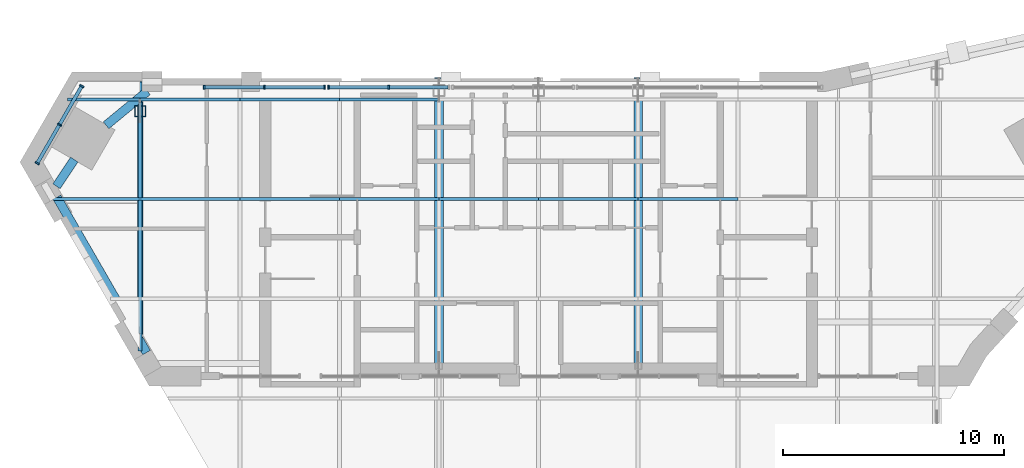
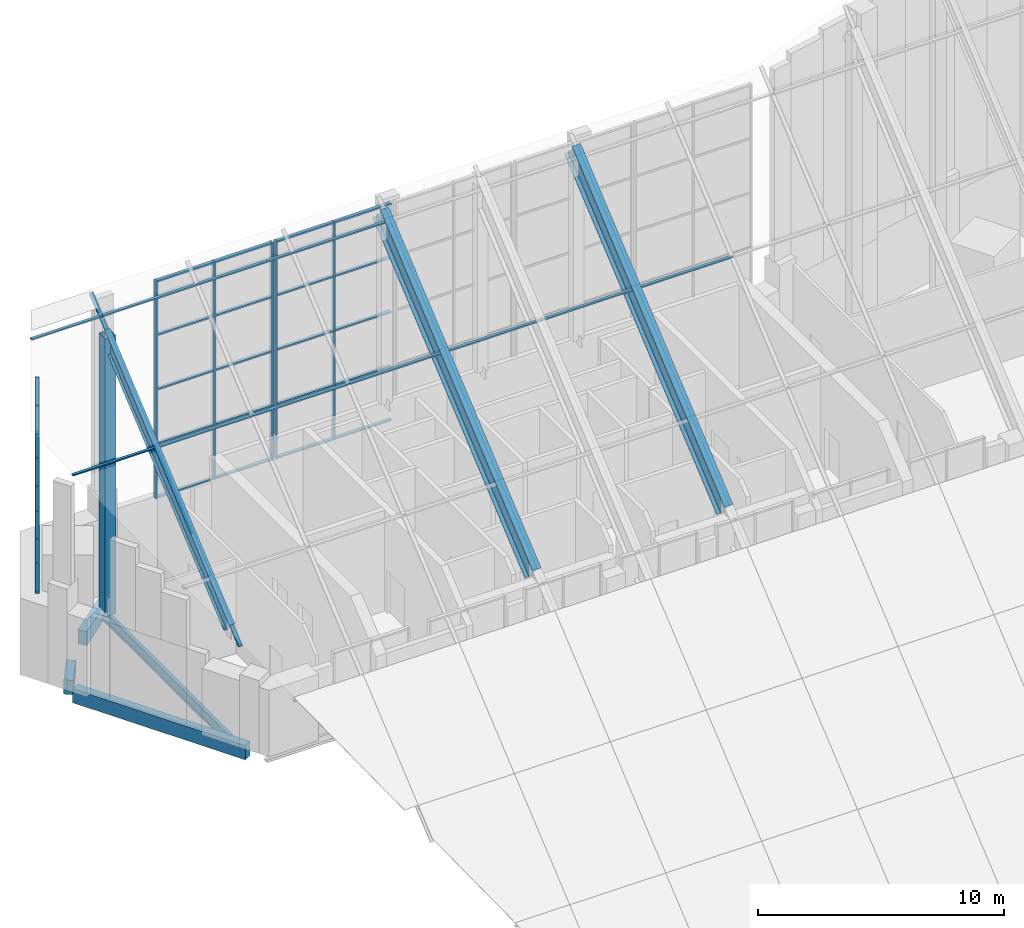
# One storey, part 6 of 19: 49 members, 7 beams, 10 elements without a shape of their own.
"""IFC4 building model written with IfcOpenShell, lengths in metres."""

from ifc_helpers import new_model, si_unit, direction, frame, origin, origin_2d, place, context, subcontext, project, spatial, rectangle, hollow_rectangle, i_section, extrude, material, material_profile, profile_set, type_object, element, aggregate, save


model = new_model("IFC4")

# Units and contexts
model_context = context("Model", 3, precision=1e-05, world=origin(), true_north=direction((0.0, 1.0)))
body_context = subcontext(model_context, "Body", "Model", "MODEL_VIEW")
ifc_project = project(units=[si_unit("LENGTHUNIT", "METRE"), si_unit("AREAUNIT", "SQUARE_METRE"), si_unit("VOLUMEUNIT", "CUBIC_METRE"), si_unit("PLANEANGLEUNIT", "RADIAN"), si_unit("MASSUNIT", "GRAM", prefix="KILO")], contexts=[model_context])

# Site, building, storey
site_placement = place(None, origin())
site = spatial("IfcSite", under=ifc_project, at=site_placement, CompositionType="ELEMENT")
building_placement = place(site_placement, origin())
building = spatial("IfcBuilding", under=site, at=building_placement, Name="Calabash Gate Tower", CompositionType="ELEMENT")
storey_placement = place(building_placement, frame((0.0, 0.0, 335.5)))
storey = spatial("IfcBuildingStorey", under=building, at=storey_placement, Name="L78", CompositionType="ELEMENT", Elevation=335.5)

# Beams
ifc_material_1 = material(Name="Concrete C50/60", Category="concrete")
ifc_material_profile_1 = material_profile(ifc_material_1, rectangle(XDim=0.39990234375, YDim=0.699951171875, at=origin_2d()))
ifc_profile_set_1 = profile_set([ifc_material_profile_1], Name="Concrete C50/60")
beam_type_1 = type_object("IfcBeamType", Name="Edge beam RC 400x700 Concrete C50/60", PredefinedType="BEAM", material=ifc_profile_set_1)
beam_1_placement = place(storey_placement, frame((-17.673095703125, 18.623046875, -0.550048828125), z_axis=(-0.77193605732, -0.635700183585, 0.0), x_axis=(0.635700183585, -0.77193605732, 0.0)))
element("IfcBeam", 1, at=beam_1_placement, inside=storey, type_object=beam_type_1, Name="Edge beam L78 7", PredefinedType="BEAM", context=body_context, shape_type="SweptSolid", body=[
    extrude(rectangle(XDim=0.39990234375, YDim=0.699951171875, at=origin_2d()), origin(), (0.0, 0.0, 1.0), 2.421142578125),
])
beam_2_placement = place(storey_placement, frame((-20.97412109375, 15.535888671875, -0.550048828125), z_axis=(-0.556208441461, -0.831042820586, 0.0), x_axis=(0.831042820586, -0.556208441461, 0.0)))
element("IfcBeam", 2, at=beam_2_placement, inside=storey, type_object=beam_type_1, Name="Edge beam L78 8", PredefinedType="BEAM", context=body_context, shape_type="SweptSolid", body=[
    extrude(rectangle(XDim=0.39990234375, YDim=0.699951171875, at=origin_2d()), origin(), (0.0, 0.0, 1.0), 1.4560546875),
])
beam_3_placement = place(storey_placement, frame((-21.763916015625, 13.830078125, -0.550048828125), z_axis=(0.500016430238, -0.866015917575, 0.0), x_axis=(0.866015917575, 0.500016430238, 0.0)))
element("IfcBeam", 3, at=beam_3_placement, inside=storey, type_object=beam_type_1, Name="Edge beam L78 9", PredefinedType="BEAM", context=body_context, shape_type="SweptSolid", body=[
    extrude(rectangle(XDim=0.39990234375, YDim=0.699951171875, at=origin_2d()), origin(), (0.0, 0.0, 1.0), 8.099365234375),
])
ifc_material_2 = material(Name="Steel ASTM A992 Gr50", Category="steel")
ifc_material_profile_2 = material_profile(ifc_material_2, i_section(OverallWidth=0.166015625, OverallDepth=0.5283203125, WebThickness=0.009765625, FlangeThickness=0.013671875, FilletRadius=0.0126953125, at=origin_2d()))
ifc_profile_set_2 = profile_set([ifc_material_profile_2], Name="Steel ASTM A992 Gr50")
beam_type_2 = type_object("IfcBeamType", Name="Floor beam W21x50 ASTM A992 Gr50", PredefinedType="BEAM", material=ifc_profile_set_2)
beam_4_placement = place(storey_placement, frame((-18.0, 7.679931640625, -0.464111328125), z_axis=(0.0, 1.0, 0.0), x_axis=(-1.0, 0.0, 0.0)))
element("IfcBeam", 4, at=beam_4_placement, inside=storey, type_object=beam_type_2, Name="Floor beam L78 1", PredefinedType="BEAM", context=body_context, shape_type="SweptSolid", body=[
    extrude(i_section(OverallWidth=0.166015625, OverallDepth=0.5283203125, WebThickness=0.009765625, FlangeThickness=0.013671875, FilletRadius=0.0126953125, at=origin_2d()), origin(), (0.0, 0.0, 1.0), 10.43701171875),
])

# Curtain wall, member
ifc_material_3 = material(Name="Anodised aluminium frame, bronze finish, clear laminated low-emissivity glazing", Category="aluminium")
curtain_wall_type_1 = type_object("IfcCurtainWallType", Name="Curtain wall CWC crown roof glazing", PredefinedType="NOTDEFINED", material=ifc_material_3)
curtain_wall_1_placement = place(storey_placement, origin())
curtain_wall_1 = element("IfcCurtainWall", 5, at=curtain_wall_1_placement, inside=storey, type_object=curtain_wall_type_1, Name="Curtain wall CWC roof glazing strip 2", PredefinedType="NOTDEFINED")
ifc_material_4 = material(Name="Anodised aluminium frame, bronze finish", Category="aluminium")
ifc_material_profile_3 = material_profile(ifc_material_4, rectangle(XDim=0.179931640625, YDim=0.06494140625, at=origin_2d()))
ifc_profile_set_3 = profile_set([ifc_material_profile_3], Name="Anodised aluminium frame, bronze finish")
member_type_1 = type_object("IfcMemberType", Name="Mullion CWC 65x180", PredefinedType="MULLION", material=ifc_profile_set_3)
member_1_placement = place(storey_placement, frame((-18.0, 6.91162109375, 4.653564453125), z_axis=(0.0, 0.766041299513, 0.642791356072), x_axis=(-1.0, 0.0, 0.0)))
member_1 = element("IfcMember", 6, at=member_1_placement, type_object=member_type_1, Name="CWC roof mullion 2.1", PredefinedType="MULLION", context=body_context, shape_type="SweptSolid", body=[
    extrude(rectangle(XDim=0.179931640625, YDim=0.06494140625, at=origin_2d()), origin(), (0.0, 0.0, 1.0), 15.848876953125),
])

# Curtain wall, members
ifc_material_5 = material(Name="Anodised aluminium frame, bronze finish, clear laminated impact-rated glazing", Category="aluminium")
curtain_wall_type_2 = type_object("IfcCurtainWallType", Name="Curtain wall CWV crown wall", PredefinedType="NOTDEFINED", material=ifc_material_5)
curtain_wall_2_placement = place(storey_placement, origin())
curtain_wall_2 = element("IfcCurtainWall", 7, at=curtain_wall_2_placement, inside=storey, type_object=curtain_wall_type_2, Name="Curtain wall CWV L78 crown screen 6.4", PredefinedType="NOTDEFINED")
ifc_material_6 = material(Name="Anodised aluminium frame, bronze finish", Category="aluminium")
ifc_material_profile_4 = material_profile(ifc_material_6, rectangle(XDim=0.199951171875, YDim=0.074951171875, at=origin_2d()))
ifc_profile_set_4 = profile_set([ifc_material_profile_4], Name="Anodised aluminium frame, bronze finish")
member_type_2 = type_object("IfcMemberType", Name="Mullion CWV 75x200", PredefinedType="MULLION", material=ifc_profile_set_4)
member_2_placement = place(storey_placement, frame((-6.7734375, 18.802490234375, 3.800048828125), z_axis=(0.0, 0.0, 1.0), x_axis=(0.0, -1.0, 0.0)))
member_2 = element("IfcMember", 8, at=member_2_placement, type_object=member_type_2, Name="CWV mullion 2", PredefinedType="MULLION", context=body_context, shape_type="SweptSolid", body=[
    extrude(rectangle(XDim=0.199951171875, YDim=0.074951171875, at=origin_2d()), origin(), (0.0, 0.0, 1.0), 10.798828125),
])
member_3_placement = place(storey_placement, frame((-9.493896484375, 18.802490234375, 3.800048828125), z_axis=(0.0, 0.0, 1.0), x_axis=(0.0, -1.0, 0.0)))
member_3 = element("IfcMember", 9, at=member_3_placement, type_object=member_type_2, Name="CWV mullion 3", PredefinedType="MULLION", context=body_context, shape_type="SweptSolid", body=[
    extrude(rectangle(XDim=0.199951171875, YDim=0.074951171875, at=origin_2d()), origin(), (0.0, 0.0, 1.0), 10.798828125),
])

curtain_wall_3_placement = place(storey_placement, origin())
curtain_wall_3 = element("IfcCurtainWall", 10, at=curtain_wall_3_placement, inside=storey, type_object=curtain_wall_type_2, Name="Curtain wall CWV L78 crown screen 6.5", PredefinedType="NOTDEFINED")
member_4_placement = place(storey_placement, frame((-9.6689453125, 18.802490234375, 3.800048828125), z_axis=(0.0, 0.0, 1.0), x_axis=(0.0, -1.0, 0.0)))
member_4 = element("IfcMember", 11, at=member_4_placement, type_object=member_type_2, Name="CWV mullion 1", PredefinedType="MULLION", context=body_context, shape_type="SweptSolid", body=[
    extrude(rectangle(XDim=0.199951171875, YDim=0.074951171875, at=origin_2d()), origin(), (0.0, 0.0, 1.0), 10.798828125),
])
member_5_placement = place(storey_placement, frame((-12.38916015625, 18.802490234375, 3.800048828125), z_axis=(0.0, 0.0, 1.0), x_axis=(0.0, -1.0, 0.0)))
member_5 = element("IfcMember", 12, at=member_5_placement, type_object=member_type_2, Name="CWV mullion 2", PredefinedType="MULLION", context=body_context, shape_type="SweptSolid", body=[
    extrude(rectangle(XDim=0.199951171875, YDim=0.074951171875, at=origin_2d()), origin(), (0.0, 0.0, 1.0), 10.798828125),
])
member_6_placement = place(storey_placement, frame((-15.109619140625, 18.802490234375, 3.800048828125), z_axis=(0.0, 0.0, 1.0), x_axis=(0.0, -1.0, 0.0)))
member_6 = element("IfcMember", 13, at=member_6_placement, type_object=member_type_2, Name="CWV mullion 3", PredefinedType="MULLION", context=body_context, shape_type="SweptSolid", body=[
    extrude(rectangle(XDim=0.199951171875, YDim=0.074951171875, at=origin_2d()), origin(), (0.0, 0.0, 1.0), 10.798828125),
])

curtain_wall_4_placement = place(storey_placement, origin())
curtain_wall_4 = element("IfcCurtainWall", 14, at=curtain_wall_4_placement, inside=storey, type_object=curtain_wall_type_2, Name="Curtain wall CWV L78 crown screen 7.1", PredefinedType="NOTDEFINED")
member_7_placement = place(storey_placement, frame((-20.64013671875, 18.851806640625, 3.800048828125), z_axis=(0.0, 0.0, 1.0), x_axis=(0.866025449713, -0.49999992045, 0.0)))
member_7 = element("IfcMember", 15, at=member_7_placement, type_object=member_type_2, Name="CWV mullion 1", PredefinedType="MULLION", context=body_context, shape_type="SweptSolid", body=[
    extrude(rectangle(XDim=0.199951171875, YDim=0.074951171875, at=origin_2d()), origin(), (0.0, 0.0, 1.0), 7.89013671875),
])
member_8_placement = place(storey_placement, frame((-21.6455078125, 17.1103515625, 3.800048828125), z_axis=(0.0, 0.0, 1.0), x_axis=(0.866025449713, -0.49999992045, 0.0)))
member_8 = element("IfcMember", 16, at=member_8_placement, type_object=member_type_2, Name="CWV mullion 2", PredefinedType="MULLION", context=body_context, shape_type="SweptSolid", body=[
    extrude(rectangle(XDim=0.199951171875, YDim=0.074951171875, at=origin_2d()), origin(), (0.0, 0.0, 1.0), 7.89013671875),
])
member_9_placement = place(storey_placement, frame((-22.65087890625, 15.36865234375, 3.800048828125), z_axis=(0.0, 0.0, 1.0), x_axis=(0.866025449713, -0.49999992045, 0.0)))
member_9 = element("IfcMember", 17, at=member_9_placement, type_object=member_type_2, Name="CWV mullion 3", PredefinedType="MULLION", context=body_context, shape_type="SweptSolid", body=[
    extrude(rectangle(XDim=0.199951171875, YDim=0.074951171875, at=origin_2d()), origin(), (0.0, 0.0, 1.0), 7.89013671875),
])

# Member
ifc_material_7 = material(Name="Steel ASTM A500 Gr C", Category="steel")
ifc_material_profile_5 = material_profile(ifc_material_7, hollow_rectangle(XDim=0.508056640625, YDim=0.508056640625, WallThickness=0.01904296875, at=origin_2d()))
ifc_profile_set_5 = profile_set([ifc_material_profile_5], Name="Steel ASTM A500 Gr C")
member_type_3 = type_object("IfcMemberType", Name="Roof post HSS20X20X.750 ASTM A500 Gr C", PredefinedType="POST", material=ifc_profile_set_5)
member_10_placement = place(storey_placement, frame((-18.0, 17.717041015625, -0.199951171875), z_axis=(0.0, 0.0, 1.0), x_axis=(1.0, 0.0, 0.0)))
element("IfcMember", 18, at=member_10_placement, inside=storey, type_object=member_type_3, Name="Roof post 2", PredefinedType="POST", context=body_context, shape_type="SweptSolid", body=[
    extrude(hollow_rectangle(XDim=0.508056640625, YDim=0.508056640625, WallThickness=0.01904296875, at=origin_2d()), origin(), (0.0, 0.0, 1.0), 13.7880859375),
])

# Beams
ifc_material_8 = material(Name="Steel ASTM A992 Gr50", Category="steel")
ifc_material_profile_6 = material_profile(ifc_material_8, i_section(OverallWidth=0.25390625, OverallDepth=0.67822265625, WebThickness=0.01171875, FlangeThickness=0.016357421875, FilletRadius=0.01513671875, at=origin_2d()))
ifc_profile_set_6 = profile_set([ifc_material_profile_6], Name="Steel ASTM A992 Gr50")
beam_type_3 = type_object("IfcBeamType", Name="Roof rafter W27x84 ASTM A992 Gr50", PredefinedType="BEAM", material=ifc_profile_set_6)
beam_5_placement = place(storey_placement, frame((-18.0, 7.81591796875, 5.056884765625), z_axis=(0.0, 0.764916462359, 0.644129494444), x_axis=(-1.0, 0.0, 0.0)))
element("IfcBeam", 19, at=beam_5_placement, inside=storey, type_object=beam_type_3, Name="Roof rafter 1", PredefinedType="BEAM", context=body_context, shape_type="SweptSolid", body=[
    extrude(i_section(OverallWidth=0.25390625, OverallDepth=0.67822265625, WebThickness=0.01171875, FlangeThickness=0.016357421875, FilletRadius=0.01513671875, at=origin_2d()), origin(), (0.0, 0.0, 1.0), 13.22900390625),
])
ifc_material_9 = material(Name="Steel ASTM A992 Gr50", Category="steel")
ifc_material_profile_7 = material_profile(ifc_material_9, i_section(OverallWidth=0.4013671875, OverallDepth=1.000732421875, WebThickness=0.01904296875, FlangeThickness=0.0361328125, FilletRadius=0.030029296875, at=origin_2d()))
ifc_profile_set_7 = profile_set([ifc_material_profile_7], Name="Steel ASTM A992 Gr50")
beam_type_4 = type_object("IfcBeamType", Name="Roof rafter W40x249 ASTM A992 Gr50", PredefinedType="BEAM", material=ifc_profile_set_7)
for number, where, z_axis, x_axis, name in (
    (20, (-4.5, 6.52587890625, 3.794189453125), (0.0, 0.766053640067, 0.642776649032), (-1.0, 0.0, 0.0), "Roof rafter 3"),
    (21, (4.5, 6.52587890625, 3.794189453125), (0.0, 0.766053640067, 0.642776649032), (-1.0, 0.0, 0.0), "Roof rafter 6"),
):
    element("IfcBeam", number, at=place(storey_placement, frame(where, z_axis=z_axis, x_axis=x_axis)), inside=storey, type_object=beam_type_4, Name=name, PredefinedType="BEAM", context=body_context, shape_type="SweptSolid", body=[
        extrude(i_section(OverallWidth=0.4013671875, OverallDepth=1.000732421875, WebThickness=0.01904296875, FlangeThickness=0.0361328125, FilletRadius=0.030029296875, at=origin_2d()), origin(), (0.0, 0.0, 1.0), 16.170166015625),
    ])

# Curtain wall, members
curtain_wall_5_placement = place(storey_placement, origin())
curtain_wall_5 = element("IfcCurtainWall", 22, at=curtain_wall_5_placement, inside=storey, type_object=curtain_wall_type_1, Name="Curtain wall CWC roof glazing strip 1", PredefinedType="NOTDEFINED")
ifc_material_10 = material(Name="Anodised aluminium frame, bronze finish", Category="aluminium")
ifc_material_profile_8 = material_profile(ifc_material_10, rectangle(XDim=0.139892578125, YDim=0.06494140625, at=origin_2d()))
ifc_profile_set_8 = profile_set([ifc_material_profile_8], Name="Anodised aluminium frame, bronze finish")
member_type_4 = type_object("IfcMemberType", Name="Transom CWC 65x140", PredefinedType="USERDEFINED", material=ifc_profile_set_8)
member_11_placement = place(storey_placement, frame((-21.947021484375, 13.748046875, 10.39013671875), z_axis=(1.0, 0.0, 0.0), x_axis=(0.0, 1.0, 0.0)))
member_11 = element("IfcMember", 23, at=member_11_placement, type_object=member_type_4, Name="CWC roof transom 1.2", ObjectType="TRANSOM", PredefinedType="USERDEFINED", context=body_context, shape_type="SweptSolid", body=[
    extrude(rectangle(XDim=0.139892578125, YDim=0.06494140625, at=origin_2d()), origin(), (0.0, 0.0, 1.0), 3.947021484375),
])
member_12_placement = place(storey_placement, frame((-21.27734375, 18.248046875, 14.166015625), z_axis=(1.0, 0.0, 0.0), x_axis=(0.0, 1.0, 0.0)))
member_12 = element("IfcMember", 24, at=member_12_placement, type_object=member_type_4, Name="CWC roof transom 1.3", ObjectType="TRANSOM", PredefinedType="USERDEFINED", context=body_context, shape_type="SweptSolid", body=[
    extrude(rectangle(XDim=0.139892578125, YDim=0.06494140625, at=origin_2d()), origin(), (0.0, 0.0, 1.0), 3.27734375),
])
aggregate(curtain_wall_5, [member_11, member_12])

# Member
member_13_placement = place(storey_placement, frame((-18.0, 13.748046875, 10.39013671875), z_axis=(1.0, 0.0, 0.0), x_axis=(0.0, 1.0, 0.0)))
member_13 = element("IfcMember", 25, at=member_13_placement, type_object=member_type_4, Name="CWC roof transom 2.3", ObjectType="TRANSOM", PredefinedType="USERDEFINED", context=body_context, shape_type="SweptSolid", body=[
    extrude(rectangle(XDim=0.139892578125, YDim=0.06494140625, at=origin_2d()), origin(), (0.0, 0.0, 1.0), 4.5),
])

member_14_placement = place(storey_placement, frame((-18.0, 18.248046875, 14.166015625), z_axis=(1.0, 0.0, 0.0), x_axis=(0.0, 1.0, 0.0)))
member_14 = element("IfcMember", 26, at=member_14_placement, type_object=member_type_4, Name="CWC roof transom 2.4", ObjectType="TRANSOM", PredefinedType="USERDEFINED", context=body_context, shape_type="SweptSolid", body=[
    extrude(rectangle(XDim=0.139892578125, YDim=0.06494140625, at=origin_2d()), origin(), (0.0, 0.0, 1.0), 4.5),
])

aggregate(curtain_wall_1, [member_1, member_13, member_14])

# Curtain wall, members
curtain_wall_6_placement = place(storey_placement, origin())
curtain_wall_6 = element("IfcCurtainWall", 27, at=curtain_wall_6_placement, inside=storey, type_object=curtain_wall_type_1, Name="Curtain wall CWC roof glazing strip 3", PredefinedType="NOTDEFINED")
member_15_placement = place(storey_placement, frame((-13.5, 13.748046875, 10.39013671875), z_axis=(1.0, 0.0, 0.0), x_axis=(0.0, 1.0, 0.0)))
member_15 = element("IfcMember", 28, at=member_15_placement, type_object=member_type_4, Name="CWC roof transom 3.5", ObjectType="TRANSOM", PredefinedType="USERDEFINED", context=body_context, shape_type="SweptSolid", body=[
    extrude(rectangle(XDim=0.139892578125, YDim=0.06494140625, at=origin_2d()), origin(), (0.0, 0.0, 1.0), 4.5),
])
member_16_placement = place(storey_placement, frame((-13.5, 18.248046875, 14.166015625), z_axis=(1.0, 0.0, 0.0), x_axis=(0.0, 1.0, 0.0)))
member_16 = element("IfcMember", 29, at=member_16_placement, type_object=member_type_4, Name="CWC roof transom 3.6", ObjectType="TRANSOM", PredefinedType="USERDEFINED", context=body_context, shape_type="SweptSolid", body=[
    extrude(rectangle(XDim=0.139892578125, YDim=0.06494140625, at=origin_2d()), origin(), (0.0, 0.0, 1.0), 4.5),
])
aggregate(curtain_wall_6, [member_15, member_16])

curtain_wall_7_placement = place(storey_placement, origin())
curtain_wall_7 = element("IfcCurtainWall", 30, at=curtain_wall_7_placement, inside=storey, type_object=curtain_wall_type_1, Name="Curtain wall CWC roof glazing strip 4", PredefinedType="NOTDEFINED")
member_17_placement = place(storey_placement, frame((-9.0, 13.748046875, 10.39013671875), z_axis=(1.0, 0.0, 0.0), x_axis=(0.0, 1.0, 0.0)))
member_17 = element("IfcMember", 31, at=member_17_placement, type_object=member_type_4, Name="CWC roof transom 4.7", ObjectType="TRANSOM", PredefinedType="USERDEFINED", context=body_context, shape_type="SweptSolid", body=[
    extrude(rectangle(XDim=0.139892578125, YDim=0.06494140625, at=origin_2d()), origin(), (0.0, 0.0, 1.0), 4.5),
])
member_18_placement = place(storey_placement, frame((-9.0, 18.248046875, 14.166015625), z_axis=(1.0, 0.0, 0.0), x_axis=(0.0, 1.0, 0.0)))
member_18 = element("IfcMember", 32, at=member_18_placement, type_object=member_type_4, Name="CWC roof transom 4.8", ObjectType="TRANSOM", PredefinedType="USERDEFINED", context=body_context, shape_type="SweptSolid", body=[
    extrude(rectangle(XDim=0.139892578125, YDim=0.06494140625, at=origin_2d()), origin(), (0.0, 0.0, 1.0), 4.5),
])
aggregate(curtain_wall_7, [member_17, member_18])

# Curtain wall, member
curtain_wall_8_placement = place(storey_placement, origin())
curtain_wall_8 = element("IfcCurtainWall", 33, at=curtain_wall_8_placement, inside=storey, type_object=curtain_wall_type_1, Name="Curtain wall CWC roof glazing strip 5", PredefinedType="NOTDEFINED")
member_19_placement = place(storey_placement, frame((-4.5, 13.748046875, 10.39013671875), z_axis=(1.0, 0.0, 0.0), x_axis=(0.0, 1.0, 0.0)))
member_19 = element("IfcMember", 34, at=member_19_placement, type_object=member_type_4, Name="CWC roof transom 5.8", ObjectType="TRANSOM", PredefinedType="USERDEFINED", context=body_context, shape_type="SweptSolid", body=[
    extrude(rectangle(XDim=0.139892578125, YDim=0.06494140625, at=origin_2d()), origin(), (0.0, 0.0, 1.0), 4.5),
])
aggregate(curtain_wall_8, [member_19])

curtain_wall_9_placement = place(storey_placement, origin())
curtain_wall_9 = element("IfcCurtainWall", 35, at=curtain_wall_9_placement, inside=storey, type_object=curtain_wall_type_1, Name="Curtain wall CWC roof glazing strip 6", PredefinedType="NOTDEFINED")
member_20_placement = place(storey_placement, frame((0.0, 13.748046875, 10.39013671875), z_axis=(1.0, 0.0, 0.0), x_axis=(0.0, 1.0, 0.0)))
member_20 = element("IfcMember", 36, at=member_20_placement, type_object=member_type_4, Name="CWC roof transom 6.8", ObjectType="TRANSOM", PredefinedType="USERDEFINED", context=body_context, shape_type="SweptSolid", body=[
    extrude(rectangle(XDim=0.139892578125, YDim=0.06494140625, at=origin_2d()), origin(), (0.0, 0.0, 1.0), 4.5),
])
aggregate(curtain_wall_9, [member_20])

curtain_wall_10_placement = place(storey_placement, origin())
curtain_wall_10 = element("IfcCurtainWall", 37, at=curtain_wall_10_placement, inside=storey, type_object=curtain_wall_type_1, Name="Curtain wall CWC roof glazing strip 7", PredefinedType="NOTDEFINED")
member_21_placement = place(storey_placement, frame((4.5, 13.748046875, 10.39013671875), z_axis=(1.0, 0.0, 0.0), x_axis=(0.0, 1.0, 0.0)))
member_21 = element("IfcMember", 38, at=member_21_placement, type_object=member_type_4, Name="CWC roof transom 7.8", ObjectType="TRANSOM", PredefinedType="USERDEFINED", context=body_context, shape_type="SweptSolid", body=[
    extrude(rectangle(XDim=0.139892578125, YDim=0.06494140625, at=origin_2d()), origin(), (0.0, 0.0, 1.0), 4.5),
])
aggregate(curtain_wall_10, [member_21])

# Member
ifc_material_11 = material(Name="Anodised aluminium frame, bronze finish", Category="aluminium")
ifc_material_profile_9 = material_profile(ifc_material_11, rectangle(XDim=0.159912109375, YDim=0.074951171875, at=origin_2d()))
ifc_profile_set_9 = profile_set([ifc_material_profile_9], Name="Anodised aluminium frame, bronze finish")
member_type_5 = type_object("IfcMemberType", Name="Transom CWV 75x160", PredefinedType="USERDEFINED", material=ifc_profile_set_9)
member_22_placement = place(storey_placement, frame((-4.090576171875, 18.802490234375, 3.83740234375), z_axis=(-1.0, 0.0, 0.0), x_axis=(0.0, -1.0, 0.0)))
member_22 = element("IfcMember", 39, at=member_22_placement, type_object=member_type_5, Name="CWV transom 1.1", ObjectType="TRANSOM", PredefinedType="USERDEFINED", context=body_context, shape_type="SweptSolid", body=[
    extrude(rectangle(XDim=0.159912109375, YDim=0.074951171875, at=origin_2d()), origin(), (0.0, 0.0, 1.0), 2.6455078125),
])

member_23_placement = place(storey_placement, frame((-4.090576171875, 18.802490234375, 6.499755859375), z_axis=(-1.0, 0.0, 0.0), x_axis=(0.0, -1.0, 0.0)))
member_23 = element("IfcMember", 40, at=member_23_placement, type_object=member_type_5, Name="CWV transom 1.2", ObjectType="TRANSOM", PredefinedType="USERDEFINED", context=body_context, shape_type="SweptSolid", body=[
    extrude(rectangle(XDim=0.159912109375, YDim=0.074951171875, at=origin_2d()), origin(), (0.0, 0.0, 1.0), 2.6455078125),
])

member_24_placement = place(storey_placement, frame((-4.090576171875, 18.802490234375, 9.199462890625), z_axis=(-1.0, 0.0, 0.0), x_axis=(0.0, -1.0, 0.0)))
member_24 = element("IfcMember", 41, at=member_24_placement, type_object=member_type_5, Name="CWV transom 1.3", ObjectType="TRANSOM", PredefinedType="USERDEFINED", context=body_context, shape_type="SweptSolid", body=[
    extrude(rectangle(XDim=0.159912109375, YDim=0.074951171875, at=origin_2d()), origin(), (0.0, 0.0, 1.0), 2.6455078125),
])

member_25_placement = place(storey_placement, frame((-4.090576171875, 18.802490234375, 11.899169921875), z_axis=(-1.0, 0.0, 0.0), x_axis=(0.0, -1.0, 0.0)))
member_25 = element("IfcMember", 42, at=member_25_placement, type_object=member_type_5, Name="CWV transom 1.4", ObjectType="TRANSOM", PredefinedType="USERDEFINED", context=body_context, shape_type="SweptSolid", body=[
    extrude(rectangle(XDim=0.159912109375, YDim=0.074951171875, at=origin_2d()), origin(), (0.0, 0.0, 1.0), 2.6455078125),
])

member_26_placement = place(storey_placement, frame((-4.090576171875, 18.802490234375, 14.561279296875), z_axis=(-1.0, 0.0, 0.0), x_axis=(0.0, -1.0, 0.0)))
member_26 = element("IfcMember", 43, at=member_26_placement, type_object=member_type_5, Name="CWV transom 1.5", ObjectType="TRANSOM", PredefinedType="USERDEFINED", context=body_context, shape_type="SweptSolid", body=[
    extrude(rectangle(XDim=0.159912109375, YDim=0.074951171875, at=origin_2d()), origin(), (0.0, 0.0, 1.0), 2.6455078125),
])

member_27_placement = place(storey_placement, frame((-6.81103515625, 18.802490234375, 3.83740234375), z_axis=(-1.0, 0.0, 0.0), x_axis=(0.0, -1.0, 0.0)))
member_27 = element("IfcMember", 44, at=member_27_placement, type_object=member_type_5, Name="CWV transom 2.1", ObjectType="TRANSOM", PredefinedType="USERDEFINED", context=body_context, shape_type="SweptSolid", body=[
    extrude(rectangle(XDim=0.159912109375, YDim=0.074951171875, at=origin_2d()), origin(), (0.0, 0.0, 1.0), 2.645263671875),
])

member_28_placement = place(storey_placement, frame((-6.81103515625, 18.802490234375, 6.499755859375), z_axis=(-1.0, 0.0, 0.0), x_axis=(0.0, -1.0, 0.0)))
member_28 = element("IfcMember", 45, at=member_28_placement, type_object=member_type_5, Name="CWV transom 2.2", ObjectType="TRANSOM", PredefinedType="USERDEFINED", context=body_context, shape_type="SweptSolid", body=[
    extrude(rectangle(XDim=0.159912109375, YDim=0.074951171875, at=origin_2d()), origin(), (0.0, 0.0, 1.0), 2.645263671875),
])

member_29_placement = place(storey_placement, frame((-6.81103515625, 18.802490234375, 9.199462890625), z_axis=(-1.0, 0.0, 0.0), x_axis=(0.0, -1.0, 0.0)))
member_29 = element("IfcMember", 46, at=member_29_placement, type_object=member_type_5, Name="CWV transom 2.3", ObjectType="TRANSOM", PredefinedType="USERDEFINED", context=body_context, shape_type="SweptSolid", body=[
    extrude(rectangle(XDim=0.159912109375, YDim=0.074951171875, at=origin_2d()), origin(), (0.0, 0.0, 1.0), 2.645263671875),
])

member_30_placement = place(storey_placement, frame((-6.81103515625, 18.802490234375, 11.899169921875), z_axis=(-1.0, 0.0, 0.0), x_axis=(0.0, -1.0, 0.0)))
member_30 = element("IfcMember", 47, at=member_30_placement, type_object=member_type_5, Name="CWV transom 2.4", ObjectType="TRANSOM", PredefinedType="USERDEFINED", context=body_context, shape_type="SweptSolid", body=[
    extrude(rectangle(XDim=0.159912109375, YDim=0.074951171875, at=origin_2d()), origin(), (0.0, 0.0, 1.0), 2.645263671875),
])

member_31_placement = place(storey_placement, frame((-6.81103515625, 18.802490234375, 14.561279296875), z_axis=(-1.0, 0.0, 0.0), x_axis=(0.0, -1.0, 0.0)))
member_31 = element("IfcMember", 48, at=member_31_placement, type_object=member_type_5, Name="CWV transom 2.5", ObjectType="TRANSOM", PredefinedType="USERDEFINED", context=body_context, shape_type="SweptSolid", body=[
    extrude(rectangle(XDim=0.159912109375, YDim=0.074951171875, at=origin_2d()), origin(), (0.0, 0.0, 1.0), 2.645263671875),
])

aggregate(curtain_wall_2, [member_2, member_3, member_22, member_23, member_24, member_25, member_26, member_27, member_28, member_29, member_30, member_31])

member_32_placement = place(storey_placement, frame((-9.706298828125, 18.802490234375, 3.83740234375), z_axis=(-1.0, 0.0, 0.0), x_axis=(0.0, -1.0, 0.0)))
member_32 = element("IfcMember", 49, at=member_32_placement, type_object=member_type_5, Name="CWV transom 1.1", ObjectType="TRANSOM", PredefinedType="USERDEFINED", context=body_context, shape_type="SweptSolid", body=[
    extrude(rectangle(XDim=0.159912109375, YDim=0.074951171875, at=origin_2d()), origin(), (0.0, 0.0, 1.0), 2.6455078125),
])

member_33_placement = place(storey_placement, frame((-9.706298828125, 18.802490234375, 6.499755859375), z_axis=(-1.0, 0.0, 0.0), x_axis=(0.0, -1.0, 0.0)))
member_33 = element("IfcMember", 50, at=member_33_placement, type_object=member_type_5, Name="CWV transom 1.2", ObjectType="TRANSOM", PredefinedType="USERDEFINED", context=body_context, shape_type="SweptSolid", body=[
    extrude(rectangle(XDim=0.159912109375, YDim=0.074951171875, at=origin_2d()), origin(), (0.0, 0.0, 1.0), 2.6455078125),
])

member_34_placement = place(storey_placement, frame((-9.706298828125, 18.802490234375, 9.199462890625), z_axis=(-1.0, 0.0, 0.0), x_axis=(0.0, -1.0, 0.0)))
member_34 = element("IfcMember", 51, at=member_34_placement, type_object=member_type_5, Name="CWV transom 1.3", ObjectType="TRANSOM", PredefinedType="USERDEFINED", context=body_context, shape_type="SweptSolid", body=[
    extrude(rectangle(XDim=0.159912109375, YDim=0.074951171875, at=origin_2d()), origin(), (0.0, 0.0, 1.0), 2.6455078125),
])

member_35_placement = place(storey_placement, frame((-9.706298828125, 18.802490234375, 11.899169921875), z_axis=(-1.0, 0.0, 0.0), x_axis=(0.0, -1.0, 0.0)))
member_35 = element("IfcMember", 52, at=member_35_placement, type_object=member_type_5, Name="CWV transom 1.4", ObjectType="TRANSOM", PredefinedType="USERDEFINED", context=body_context, shape_type="SweptSolid", body=[
    extrude(rectangle(XDim=0.159912109375, YDim=0.074951171875, at=origin_2d()), origin(), (0.0, 0.0, 1.0), 2.6455078125),
])

member_36_placement = place(storey_placement, frame((-9.706298828125, 18.802490234375, 14.561279296875), z_axis=(-1.0, 0.0, 0.0), x_axis=(0.0, -1.0, 0.0)))
member_36 = element("IfcMember", 53, at=member_36_placement, type_object=member_type_5, Name="CWV transom 1.5", ObjectType="TRANSOM", PredefinedType="USERDEFINED", context=body_context, shape_type="SweptSolid", body=[
    extrude(rectangle(XDim=0.159912109375, YDim=0.074951171875, at=origin_2d()), origin(), (0.0, 0.0, 1.0), 2.6455078125),
])

member_37_placement = place(storey_placement, frame((-12.4267578125, 18.802490234375, 3.83740234375), z_axis=(-1.0, 0.0, 0.0), x_axis=(0.0, -1.0, 0.0)))
member_37 = element("IfcMember", 54, at=member_37_placement, type_object=member_type_5, Name="CWV transom 2.1", ObjectType="TRANSOM", PredefinedType="USERDEFINED", context=body_context, shape_type="SweptSolid", body=[
    extrude(rectangle(XDim=0.159912109375, YDim=0.074951171875, at=origin_2d()), origin(), (0.0, 0.0, 1.0), 2.645263671875),
])

member_38_placement = place(storey_placement, frame((-12.4267578125, 18.802490234375, 6.499755859375), z_axis=(-1.0, 0.0, 0.0), x_axis=(0.0, -1.0, 0.0)))
member_38 = element("IfcMember", 55, at=member_38_placement, type_object=member_type_5, Name="CWV transom 2.2", ObjectType="TRANSOM", PredefinedType="USERDEFINED", context=body_context, shape_type="SweptSolid", body=[
    extrude(rectangle(XDim=0.159912109375, YDim=0.074951171875, at=origin_2d()), origin(), (0.0, 0.0, 1.0), 2.645263671875),
])

member_39_placement = place(storey_placement, frame((-12.4267578125, 18.802490234375, 9.199462890625), z_axis=(-1.0, 0.0, 0.0), x_axis=(0.0, -1.0, 0.0)))
member_39 = element("IfcMember", 56, at=member_39_placement, type_object=member_type_5, Name="CWV transom 2.3", ObjectType="TRANSOM", PredefinedType="USERDEFINED", context=body_context, shape_type="SweptSolid", body=[
    extrude(rectangle(XDim=0.159912109375, YDim=0.074951171875, at=origin_2d()), origin(), (0.0, 0.0, 1.0), 2.645263671875),
])

member_40_placement = place(storey_placement, frame((-12.4267578125, 18.802490234375, 11.899169921875), z_axis=(-1.0, 0.0, 0.0), x_axis=(0.0, -1.0, 0.0)))
member_40 = element("IfcMember", 57, at=member_40_placement, type_object=member_type_5, Name="CWV transom 2.4", ObjectType="TRANSOM", PredefinedType="USERDEFINED", context=body_context, shape_type="SweptSolid", body=[
    extrude(rectangle(XDim=0.159912109375, YDim=0.074951171875, at=origin_2d()), origin(), (0.0, 0.0, 1.0), 2.645263671875),
])

member_41_placement = place(storey_placement, frame((-12.4267578125, 18.802490234375, 14.561279296875), z_axis=(-1.0, 0.0, 0.0), x_axis=(0.0, -1.0, 0.0)))
member_41 = element("IfcMember", 58, at=member_41_placement, type_object=member_type_5, Name="CWV transom 2.5", ObjectType="TRANSOM", PredefinedType="USERDEFINED", context=body_context, shape_type="SweptSolid", body=[
    extrude(rectangle(XDim=0.159912109375, YDim=0.074951171875, at=origin_2d()), origin(), (0.0, 0.0, 1.0), 2.645263671875),
])

aggregate(curtain_wall_3, [member_4, member_5, member_6, member_32, member_33, member_34, member_35, member_36, member_37, member_38, member_39, member_40, member_41])

member_42_placement = place(storey_placement, frame((-20.65869140625, 18.8193359375, 3.83740234375), z_axis=(-0.500031751504, -0.866007071269, 0.0), x_axis=(0.866007071269, -0.500031751504, 0.0)))
member_42 = element("IfcMember", 59, at=member_42_placement, type_object=member_type_5, Name="CWV transom 1.1", ObjectType="TRANSOM", PredefinedType="USERDEFINED", context=body_context, shape_type="SweptSolid", body=[
    extrude(rectangle(XDim=0.159912109375, YDim=0.074951171875, at=origin_2d()), origin(), (0.0, 0.0, 1.0), 1.935791015625),
])

member_43_placement = place(storey_placement, frame((-20.65869140625, 18.8193359375, 6.43017578125), z_axis=(-0.500031751504, -0.866007071269, 0.0), x_axis=(0.866007071269, -0.500031751504, 0.0)))
member_43 = element("IfcMember", 60, at=member_43_placement, type_object=member_type_5, Name="CWV transom 1.2", ObjectType="TRANSOM", PredefinedType="USERDEFINED", context=body_context, shape_type="SweptSolid", body=[
    extrude(rectangle(XDim=0.159912109375, YDim=0.074951171875, at=origin_2d()), origin(), (0.0, 0.0, 1.0), 1.935791015625),
])

member_44_placement = place(storey_placement, frame((-20.65869140625, 18.8193359375, 9.06005859375), z_axis=(-0.500031751504, -0.866007071269, 0.0), x_axis=(0.866007071269, -0.500031751504, 0.0)))
member_44 = element("IfcMember", 61, at=member_44_placement, type_object=member_type_5, Name="CWV transom 1.3", ObjectType="TRANSOM", PredefinedType="USERDEFINED", context=body_context, shape_type="SweptSolid", body=[
    extrude(rectangle(XDim=0.159912109375, YDim=0.074951171875, at=origin_2d()), origin(), (0.0, 0.0, 1.0), 1.935791015625),
])

member_45_placement = place(storey_placement, frame((-20.65869140625, 18.8193359375, 11.65283203125), z_axis=(-0.500031751504, -0.866007071269, 0.0), x_axis=(0.866007071269, -0.500031751504, 0.0)))
member_45 = element("IfcMember", 62, at=member_45_placement, type_object=member_type_5, Name="CWV transom 1.4", ObjectType="TRANSOM", PredefinedType="USERDEFINED", context=body_context, shape_type="SweptSolid", body=[
    extrude(rectangle(XDim=0.159912109375, YDim=0.074951171875, at=origin_2d()), origin(), (0.0, 0.0, 1.0), 1.935791015625),
])

member_46_placement = place(storey_placement, frame((-21.664306640625, 17.077880859375, 3.83740234375), z_axis=(-0.499977146319, -0.866038597961, 0.0), x_axis=(0.866038597961, -0.499977146319, 0.0)))
member_46 = element("IfcMember", 63, at=member_46_placement, type_object=member_type_5, Name="CWV transom 2.1", ObjectType="TRANSOM", PredefinedType="USERDEFINED", context=body_context, shape_type="SweptSolid", body=[
    extrude(rectangle(XDim=0.159912109375, YDim=0.074951171875, at=origin_2d()), origin(), (0.0, 0.0, 1.0), 1.93603515625),
])

member_47_placement = place(storey_placement, frame((-21.664306640625, 17.077880859375, 6.43017578125), z_axis=(-0.499977146319, -0.866038597961, 0.0), x_axis=(0.866038597961, -0.499977146319, 0.0)))
member_47 = element("IfcMember", 64, at=member_47_placement, type_object=member_type_5, Name="CWV transom 2.2", ObjectType="TRANSOM", PredefinedType="USERDEFINED", context=body_context, shape_type="SweptSolid", body=[
    extrude(rectangle(XDim=0.159912109375, YDim=0.074951171875, at=origin_2d()), origin(), (0.0, 0.0, 1.0), 1.93603515625),
])

member_48_placement = place(storey_placement, frame((-21.664306640625, 17.077880859375, 9.06005859375), z_axis=(-0.499977146319, -0.866038597961, 0.0), x_axis=(0.866038597961, -0.499977146319, 0.0)))
member_48 = element("IfcMember", 65, at=member_48_placement, type_object=member_type_5, Name="CWV transom 2.3", ObjectType="TRANSOM", PredefinedType="USERDEFINED", context=body_context, shape_type="SweptSolid", body=[
    extrude(rectangle(XDim=0.159912109375, YDim=0.074951171875, at=origin_2d()), origin(), (0.0, 0.0, 1.0), 1.93603515625),
])

member_49_placement = place(storey_placement, frame((-21.664306640625, 17.077880859375, 11.65283203125), z_axis=(-0.499977146319, -0.866038597961, 0.0), x_axis=(0.866038597961, -0.499977146319, 0.0)))
member_49 = element("IfcMember", 66, at=member_49_placement, type_object=member_type_5, Name="CWV transom 2.4", ObjectType="TRANSOM", PredefinedType="USERDEFINED", context=body_context, shape_type="SweptSolid", body=[
    extrude(rectangle(XDim=0.159912109375, YDim=0.074951171875, at=origin_2d()), origin(), (0.0, 0.0, 1.0), 1.93603515625),
])

aggregate(curtain_wall_4, [member_7, member_8, member_9, member_42, member_43, member_44, member_45, member_46, member_47, member_48, member_49])

save(model, "model.ifc")
